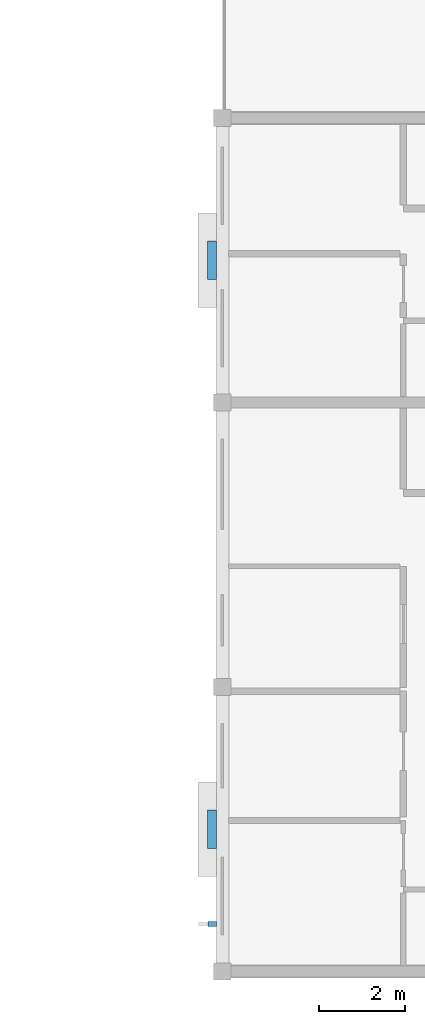
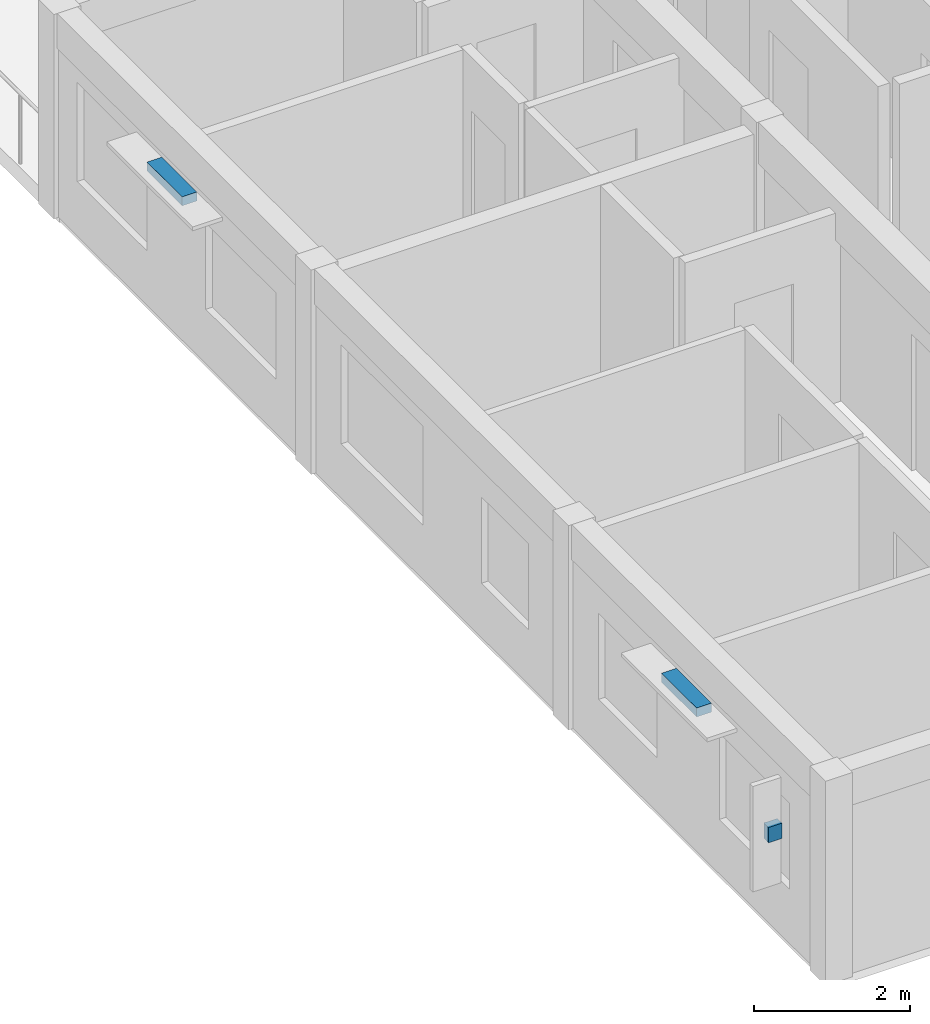
# One storey, part 30 of 37: 3 discrete accessories.
"""IFC4 building model written with IfcOpenShell, lengths in metres."""

from ifc_helpers import new_model, si_unit, direction, frame, origin, origin_2d, place, context, subcontext, project, spatial, rectangle, extrude, material, type_object, element, save


model = new_model("IFC4")

# Units and contexts
model_context = context("Model", 3, precision=1e-05, world=origin(), true_north=direction((0.0, 1.0)))
body_context = subcontext(model_context, "Body", "Model", "MODEL_VIEW")
ifc_project = project(units=[si_unit("LENGTHUNIT", "METRE"), si_unit("AREAUNIT", "SQUARE_METRE"), si_unit("VOLUMEUNIT", "CUBIC_METRE"), si_unit("PLANEANGLEUNIT", "RADIAN"), si_unit("MASSUNIT", "GRAM", prefix="KILO")], contexts=[model_context])

# Site, building, storey
site_placement = place(None, origin())
site = spatial("IfcSite", under=ifc_project, at=site_placement, CompositionType="ELEMENT")
building_placement = place(site_placement, origin())
building = spatial("IfcBuilding", under=site, at=building_placement, Name="Kernevlak Ridge Housing Community", CompositionType="ELEMENT")
storey_placement = place(building_placement, frame((0.0, 0.0, 37.199951171875)))
storey = spatial("IfcBuildingStorey", under=building, at=storey_placement, Name="L11", CompositionType="ELEMENT", Elevation=37.199951171875)

# Discrete accessories
ifc_material = material(Name="Steel S355 galvanised", Category="steel")
discrete_accessory_type = type_object("IfcDiscreteAccessoryType", Name="BK-01", PredefinedType="BRACKET", material=ifc_material)
discrete_accessory_1_placement = place(storey_placement, frame((125.760009765625, 18.89990234375, 2.41015625), z_axis=(0.0, 0.0, 1.0), x_axis=(0.0, 1.0, 0.0)))
element("IfcDiscreteAccessory", 1, at=discrete_accessory_1_placement, inside=storey, type_object=discrete_accessory_type, Name="Sunshade steel bracket 37", PredefinedType="BRACKET", context=body_context, shape_type="SweptSolid", body=[
    extrude(rectangle(XDim=0.89990234375, YDim=0.219970703125, at=origin_2d()), origin(), (0.0, 0.0, 1.0), 0.139892578125),
])
discrete_accessory_2_placement = place(storey_placement, frame((125.77001953125, 16.699951171875, 1.5302734375), z_axis=(0.0, 0.0, 1.0), x_axis=(0.0, 1.0, 0.0)))
element("IfcDiscreteAccessory", 2, at=discrete_accessory_2_placement, inside=storey, type_object=discrete_accessory_type, Name="Vertical fin fixing bracket 37", PredefinedType="BRACKET", context=body_context, shape_type="SweptSolid", body=[
    extrude(rectangle(XDim=0.1201171875, YDim=0.199951171875, at=origin_2d()), origin(), (0.0, 0.0, 1.0), 0.239990234375),
])
discrete_accessory_3_placement = place(storey_placement, frame((125.760009765625, 32.10009765625, 2.41015625), z_axis=(0.0, 0.0, 1.0), x_axis=(0.0, 1.0, 0.0)))
element("IfcDiscreteAccessory", 3, at=discrete_accessory_3_placement, inside=storey, type_object=discrete_accessory_type, Name="Sunshade steel bracket 38", PredefinedType="BRACKET", context=body_context, shape_type="SweptSolid", body=[
    extrude(rectangle(XDim=0.89990234375, YDim=0.219970703125, at=origin_2d()), origin(), (0.0, 0.0, 1.0), 0.139892578125),
])

save(model, "model.ifc")
